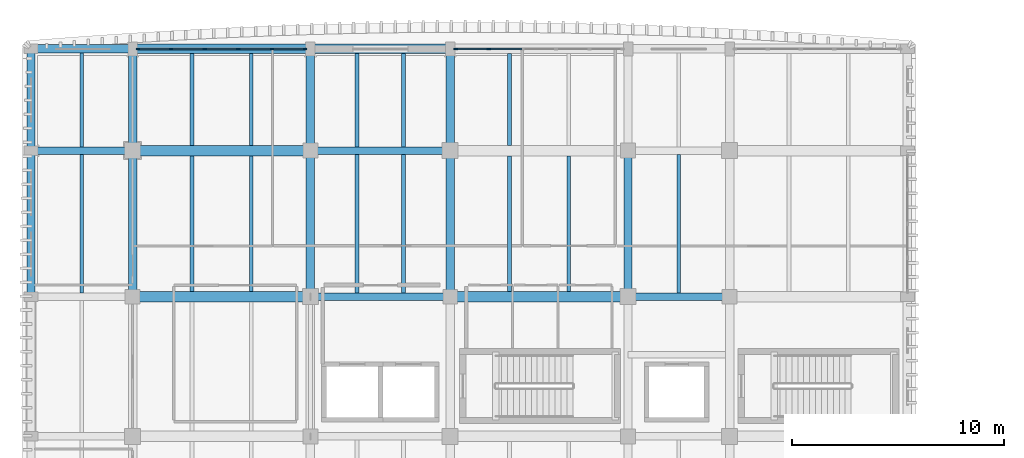
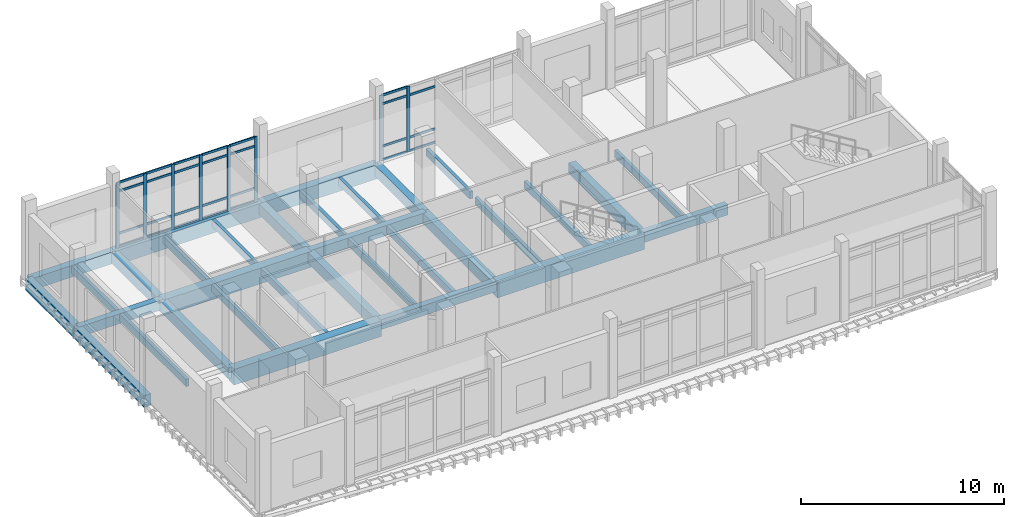
# One storey, part 4 of 39: 35 members, 33 beams, 2 elements without a shape of their own.
"""IFC4 building model written with IfcOpenShell, lengths in metres."""

from ifc_helpers import new_model, si_unit, direction, frame, origin, origin_2d, place, context, subcontext, project, spatial, rectangle, extrude, material, material_profile, profile_set, type_object, element, aggregate, save


model = new_model("IFC4")

# Units and contexts
model_context = context("Model", 3, precision=1e-05, world=origin(), true_north=direction((0.0, 1.0)))
body_context = subcontext(model_context, "Body", "Model", "MODEL_VIEW")
ifc_project = project(units=[si_unit("LENGTHUNIT", "METRE"), si_unit("AREAUNIT", "SQUARE_METRE"), si_unit("VOLUMEUNIT", "CUBIC_METRE"), si_unit("PLANEANGLEUNIT", "RADIAN"), si_unit("MASSUNIT", "GRAM", prefix="KILO")], contexts=[model_context])

# Site, building, storey
site_placement = place(None, origin())
site = spatial("IfcSite", under=ifc_project, at=site_placement, CompositionType="ELEMENT")
building_placement = place(site_placement, origin())
building = spatial("IfcBuilding", under=site, at=building_placement, Name="Dornvale Research Institute", CompositionType="ELEMENT")
storey_placement = place(building_placement, frame((0.0, 0.0, 24.60009765625)))
storey = spatial("IfcBuildingStorey", under=building, at=storey_placement, Name="L05", CompositionType="ELEMENT", Elevation=24.60009765625)

# Beams
ifc_material_1 = material(Name="Concrete f'c 45 MPa (C35/45)", Category="concrete")
ifc_material_profile_1 = material_profile(ifc_material_1, rectangle(XDim=0.35009765625, YDim=0.60009765625, at=origin_2d()), Name="RC 350x600")
ifc_profile_set_1 = profile_set([ifc_material_profile_1], Name="Concrete f'c 45 MPa (C35/45)")
beam_type_1 = type_object("IfcBeamType", Name="Beam_RC350x600_Floor", PredefinedType="BEAM", material=ifc_profile_set_1)
beam_1_placement = place(storey_placement, frame((13.199951171875, 110.39990234375, -0.300048828125), z_axis=(1.0, 0.0, 0.0), x_axis=(0.0, 1.0, 0.0)))
element("IfcBeam", 1, at=beam_1_placement, inside=storey, type_object=beam_type_1, Name="L05 primary girder #1337", PredefinedType="BEAM", context=body_context, shape_type="SweptSolid", body=[
    extrude(rectangle(XDim=0.35009765625, YDim=0.60009765625, at=origin_2d()), origin(), (0.0, 0.0, 1.0), 6.60009765625),
])
for number, where, z_axis, x_axis, name in (
    (2, (28.199951171875, 110.39990234375, -0.300048828125), (1.0, 0.0, 0.0), (0.0, 1.0, 0.0), "L05 primary girder #1339"),
    (3, (0.0, 117.300048828125, -0.300048828125), (1.0, 0.0, 0.0), (0.0, 1.0, 0.0), "L05 primary girder #1341"),
):
    element("IfcBeam", number, at=place(storey_placement, frame(where, z_axis=z_axis, x_axis=x_axis)), inside=storey, type_object=beam_type_1, Name=name, PredefinedType="BEAM", context=body_context, shape_type="SweptSolid", body=[
        extrude(rectangle(XDim=0.35009765625, YDim=0.60009765625, at=origin_2d()), origin(), (0.0, 0.0, 1.0), 4.800048828125),
    ])
beam_2_placement = place(storey_placement, frame((13.199951171875, 117.300048828125, -0.300048828125), z_axis=(1.0, 0.0, 0.0), x_axis=(0.0, 1.0, 0.0)))
element("IfcBeam", 4, at=beam_2_placement, inside=storey, type_object=beam_type_1, Name="L05 primary girder #1343", PredefinedType="BEAM", context=body_context, shape_type="SweptSolid", body=[
    extrude(rectangle(XDim=0.35009765625, YDim=0.60009765625, at=origin_2d()), origin(), (0.0, 0.0, 1.0), 6.60009765625),
])
ifc_material_2 = material(Name="Concrete f'c 45 MPa (C35/45)", Category="concrete")
ifc_material_profile_2 = material_profile(ifc_material_2, rectangle(XDim=0.39990234375, YDim=0.64990234375, at=origin_2d()), Name="RC 400x650")
ifc_profile_set_2 = profile_set([ifc_material_profile_2], Name="Concrete f'c 45 MPa (C35/45)")
beam_type_2 = type_object("IfcBeamType", Name="Beam_RC400x650_Floor", PredefinedType="BEAM", material=ifc_profile_set_2)
beam_3_placement = place(storey_placement, frame((4.800048828125, 110.39990234375, -0.3251953125), z_axis=(0.0, 1.0, 0.0), x_axis=(-1.0, 0.0, 0.0)))
element("IfcBeam", 5, at=beam_3_placement, inside=storey, type_object=beam_type_2, Name="L05 transverse girder #1359", PredefinedType="BEAM", context=body_context, shape_type="SweptSolid", body=[
    extrude(rectangle(XDim=0.39990234375, YDim=0.64990234375, at=origin_2d()), origin(), (0.0, 0.0, 1.0), 6.900146484375),
])
beam_4_placement = place(storey_placement, frame((4.800048828125, 117.300048828125, -0.3251953125), z_axis=(0.0, 1.0, 0.0), x_axis=(-1.0, 0.0, 0.0)))
element("IfcBeam", 6, at=beam_4_placement, inside=storey, type_object=beam_type_2, Name="L05 transverse girder #1360", PredefinedType="BEAM", context=body_context, shape_type="SweptSolid", body=[
    extrude(rectangle(XDim=0.39990234375, YDim=0.64990234375, at=origin_2d()), origin(), (0.0, 0.0, 1.0), 4.800048828125),
])
beam_5_placement = place(storey_placement, frame((13.199951171875, 110.39990234375, -0.3251953125), z_axis=(0.0, 1.0, 0.0), x_axis=(-1.0, 0.0, 0.0)))
element("IfcBeam", 7, at=beam_5_placement, inside=storey, type_object=beam_type_2, Name="L05 transverse girder #1363", PredefinedType="BEAM", context=body_context, shape_type="SweptSolid", body=[
    extrude(rectangle(XDim=0.39990234375, YDim=0.64990234375, at=origin_2d()), origin(), (0.0, 0.0, 1.0), 6.900146484375),
])
beam_6_placement = place(storey_placement, frame((13.199951171875, 117.300048828125, -0.3251953125), z_axis=(0.0, 1.0, 0.0), x_axis=(-1.0, 0.0, 0.0)))
element("IfcBeam", 8, at=beam_6_placement, inside=storey, type_object=beam_type_2, Name="L05 transverse girder #1364", PredefinedType="BEAM", context=body_context, shape_type="SweptSolid", body=[
    extrude(rectangle(XDim=0.39990234375, YDim=0.64990234375, at=origin_2d()), origin(), (0.0, 0.0, 1.0), 4.800048828125),
])
beam_7_placement = place(storey_placement, frame((19.800048828125, 110.39990234375, -0.3251953125), z_axis=(0.0, 1.0, 0.0), x_axis=(-1.0, 0.0, 0.0)))
element("IfcBeam", 9, at=beam_7_placement, inside=storey, type_object=beam_type_2, Name="L05 transverse girder #1367", PredefinedType="BEAM", context=body_context, shape_type="SweptSolid", body=[
    extrude(rectangle(XDim=0.39990234375, YDim=0.64990234375, at=origin_2d()), origin(), (0.0, 0.0, 1.0), 6.900146484375),
])
beam_8_placement = place(storey_placement, frame((19.800048828125, 117.300048828125, -0.3251953125), z_axis=(0.0, 1.0, 0.0), x_axis=(-1.0, 0.0, 0.0)))
element("IfcBeam", 10, at=beam_8_placement, inside=storey, type_object=beam_type_2, Name="L05 transverse girder #1368", PredefinedType="BEAM", context=body_context, shape_type="SweptSolid", body=[
    extrude(rectangle(XDim=0.39990234375, YDim=0.64990234375, at=origin_2d()), origin(), (0.0, 0.0, 1.0), 4.800048828125),
])
beam_9_placement = place(storey_placement, frame((28.199951171875, 110.39990234375, -0.3251953125), z_axis=(0.0, 1.0, 0.0), x_axis=(-1.0, 0.0, 0.0)))
element("IfcBeam", 11, at=beam_9_placement, inside=storey, type_object=beam_type_2, Name="L05 transverse girder #1371", PredefinedType="BEAM", context=body_context, shape_type="SweptSolid", body=[
    extrude(rectangle(XDim=0.39990234375, YDim=0.64990234375, at=origin_2d()), origin(), (0.0, 0.0, 1.0), 6.900146484375),
])
ifc_material_3 = material(Name="Concrete f'c 45 MPa (C35/45)", Category="concrete")
ifc_material_profile_3 = material_profile(ifc_material_3, rectangle(XDim=0.5, YDim=0.949951171875, at=origin_2d()), Name="RC 500x950")
ifc_profile_set_3 = profile_set([ifc_material_profile_3], Name="Concrete f'c 45 MPa (C35/45)")
beam_type_3 = type_object("IfcBeamType", Name="Beam_RC500x950_Girder", PredefinedType="BEAM", material=ifc_profile_set_3)
for number, where, z_axis, x_axis, name in (
    (12, (4.800048828125, 110.39990234375, -0.47509765625), (1.0, 0.0, 0.0), (0.0, 1.0, 0.0), "L05 primary girder #1336"),
    (13, (19.800048828125, 110.39990234375, -0.47509765625), (1.0, 0.0, 0.0), (0.0, 1.0, 0.0), "L05 primary girder #1338"),
    (14, (4.800048828125, 117.300048828125, -0.47509765625), (1.0, 0.0, 0.0), (0.0, 1.0, 0.0), "L05 primary girder #1342"),
):
    element("IfcBeam", number, at=place(storey_placement, frame(where, z_axis=z_axis, x_axis=x_axis)), inside=storey, type_object=beam_type_3, Name=name, PredefinedType="BEAM", context=body_context, shape_type="SweptSolid", body=[
        extrude(rectangle(XDim=0.5, YDim=0.949951171875, at=origin_2d()), origin(), (0.0, 0.0, 1.0), 8.39990234375),
    ])
ifc_material_4 = material(Name="Concrete f'c 45 MPa (C35/45)", Category="concrete")
ifc_material_profile_4 = material_profile(ifc_material_4, rectangle(XDim=0.179931640625, YDim=0.43505859375, at=origin_2d()), Name="RC 180x435")
ifc_profile_set_4 = profile_set([ifc_material_profile_4], Name="Concrete f'c 45 MPa (C35/45)")
beam_type_4 = type_object("IfcBeamType", Name="Joist_RC180x435_Rib", PredefinedType="JOIST", material=ifc_profile_set_4)
beam_10_placement = place(storey_placement, frame((2.39990234375, 110.574951171875, -0.217529296875), z_axis=(0.0, 1.0, 0.0), x_axis=(-1.0, 0.0, 0.0)))
element("IfcBeam", 15, at=beam_10_placement, inside=storey, type_object=beam_type_4, Name="L05 laboratory waffle joist #627", PredefinedType="JOIST", context=body_context, shape_type="SweptSolid", body=[
    extrude(rectangle(XDim=0.179931640625, YDim=0.43505859375, at=origin_2d()), origin(), (0.0, 0.0, 1.0), 6.550048828125),
])
beam_11_placement = place(storey_placement, frame((2.39990234375, 117.47509765625, -0.217529296875), z_axis=(0.0, 1.0, 0.0), x_axis=(-1.0, 0.0, 0.0)))
element("IfcBeam", 16, at=beam_11_placement, inside=storey, type_object=beam_type_4, Name="L05 laboratory waffle joist #628", PredefinedType="JOIST", context=body_context, shape_type="SweptSolid", body=[
    extrude(rectangle(XDim=0.179931640625, YDim=0.43505859375, at=origin_2d()), origin(), (0.0, 0.0, 1.0), 4.4248046875),
])
for number, where, z_axis, x_axis, name in (
    (17, (7.60009765625, 110.64990234375, -0.217529296875), (0.0, 1.0, 0.0), (-1.0, 0.0, 0.0), "L05 laboratory waffle joist #633"),
    (18, (10.39990234375, 110.64990234375, -0.217529296875), (0.0, 1.0, 0.0), (-1.0, 0.0, 0.0), "L05 laboratory waffle joist #634"),
):
    element("IfcBeam", number, at=place(storey_placement, frame(where, z_axis=z_axis, x_axis=x_axis)), inside=storey, type_object=beam_type_4, Name=name, PredefinedType="JOIST", context=body_context, shape_type="SweptSolid", body=[
        extrude(rectangle(XDim=0.179931640625, YDim=0.43505859375, at=origin_2d()), origin(), (0.0, 0.0, 1.0), 6.400146484375),
    ])
for number, where, z_axis, x_axis, name in (
    (19, (7.60009765625, 117.550048828125, -0.217529296875), (0.0, 1.0, 0.0), (-1.0, 0.0, 0.0), "L05 laboratory waffle joist #635"),
    (20, (10.39990234375, 117.550048828125, -0.217529296875), (0.0, 1.0, 0.0), (-1.0, 0.0, 0.0), "L05 laboratory waffle joist #636"),
):
    element("IfcBeam", number, at=place(storey_placement, frame(where, z_axis=z_axis, x_axis=x_axis)), inside=storey, type_object=beam_type_4, Name=name, PredefinedType="JOIST", context=body_context, shape_type="SweptSolid", body=[
        extrude(rectangle(XDim=0.179931640625, YDim=0.43505859375, at=origin_2d()), origin(), (0.0, 0.0, 1.0), 4.324951171875),
    ])
for number, where, z_axis, x_axis, name in (
    (21, (15.39990234375, 110.574951171875, -0.217529296875), (0.0, 1.0, 0.0), (-1.0, 0.0, 0.0), "L05 laboratory waffle joist #639"),
    (22, (17.60009765625, 110.574951171875, -0.217529296875), (0.0, 1.0, 0.0), (-1.0, 0.0, 0.0), "L05 laboratory waffle joist #640"),
):
    element("IfcBeam", number, at=place(storey_placement, frame(where, z_axis=z_axis, x_axis=x_axis)), inside=storey, type_object=beam_type_4, Name=name, PredefinedType="JOIST", context=body_context, shape_type="SweptSolid", body=[
        extrude(rectangle(XDim=0.179931640625, YDim=0.43505859375, at=origin_2d()), origin(), (0.0, 0.0, 1.0), 6.550048828125),
    ])
for number, where, z_axis, x_axis, name in (
    (23, (15.39990234375, 117.47509765625, -0.217529296875), (0.0, 1.0, 0.0), (-1.0, 0.0, 0.0), "L05 laboratory waffle joist #641"),
    (24, (17.60009765625, 117.47509765625, -0.217529296875), (0.0, 1.0, 0.0), (-1.0, 0.0, 0.0), "L05 laboratory waffle joist #642"),
):
    element("IfcBeam", number, at=place(storey_placement, frame(where, z_axis=z_axis, x_axis=x_axis)), inside=storey, type_object=beam_type_4, Name=name, PredefinedType="JOIST", context=body_context, shape_type="SweptSolid", body=[
        extrude(rectangle(XDim=0.179931640625, YDim=0.43505859375, at=origin_2d()), origin(), (0.0, 0.0, 1.0), 4.39990234375),
    ])
for number, where, z_axis, x_axis, name in (
    (25, (22.60009765625, 110.64990234375, -0.217529296875), (0.0, 1.0, 0.0), (-1.0, 0.0, 0.0), "L05 laboratory waffle joist #645"),
    (26, (25.39990234375, 110.64990234375, -0.217529296875), (0.0, 1.0, 0.0), (-1.0, 0.0, 0.0), "L05 laboratory waffle joist #646"),
):
    element("IfcBeam", number, at=place(storey_placement, frame(where, z_axis=z_axis, x_axis=x_axis)), inside=storey, type_object=beam_type_4, Name=name, PredefinedType="JOIST", context=body_context, shape_type="SweptSolid", body=[
        extrude(rectangle(XDim=0.179931640625, YDim=0.43505859375, at=origin_2d()), origin(), (0.0, 0.0, 1.0), 6.400146484375),
    ])
beam_12_placement = place(storey_placement, frame((22.60009765625, 117.550048828125, -0.217529296875), z_axis=(0.0, 1.0, 0.0), x_axis=(-1.0, 0.0, 0.0)))
element("IfcBeam", 27, at=beam_12_placement, inside=storey, type_object=beam_type_4, Name="L05 laboratory waffle joist #647", PredefinedType="JOIST", context=body_context, shape_type="SweptSolid", body=[
    extrude(rectangle(XDim=0.179931640625, YDim=0.43505859375, at=origin_2d()), origin(), (0.0, 0.0, 1.0), 4.324951171875),
])
beam_13_placement = place(storey_placement, frame((30.60009765625, 110.574951171875, -0.217529296875), z_axis=(0.0, 1.0, 0.0), x_axis=(-1.0, 0.0, 0.0)))
element("IfcBeam", 28, at=beam_13_placement, inside=storey, type_object=beam_type_4, Name="L05 laboratory waffle joist #650", PredefinedType="JOIST", context=body_context, shape_type="SweptSolid", body=[
    extrude(rectangle(XDim=0.179931640625, YDim=0.43505859375, at=origin_2d()), origin(), (0.0, 0.0, 1.0), 6.550048828125),
])

# Curtain wall, members
ifc_material_5 = material(Name="Low-E Argon Double Insulating Glazing Unit", Category="glass")
curtain_wall_type = type_object("IfcCurtainWallType", Name="UnitisedCurtainWall_V5_7950x3950", PredefinedType="USERDEFINED", material=ifc_material_5)
curtain_wall_1_placement = place(storey_placement, origin())
curtain_wall_1 = element("IfcCurtainWall", 29, at=curtain_wall_1_placement, inside=storey, type_object=curtain_wall_type, Name="L05 V5 unitised curtain wall CW-30 #165", ObjectType="UNITISED CURTAIN WALL", PredefinedType="USERDEFINED")
ifc_material_6 = material(Name="Anodized Aluminum AA 6063-T6 Thermally Broken Frame", Category="aluminium")
ifc_material_profile_5 = material_profile(ifc_material_6, rectangle(XDim=0.06494140625, YDim=0.179931640625, at=origin_2d()), Name="ALU MULLION 65x180")
ifc_profile_set_5 = profile_set([ifc_material_profile_5], Name="Anodized Aluminum AA 6063-T6 Thermally Broken Frame")
member_type_1 = type_object("IfcMemberType", Name="Mullion_CW_65x180", PredefinedType="MULLION", material=ifc_profile_set_5)
member_1_placement = place(storey_placement, frame((5.0576171875, 122.10009765625, 0.0), z_axis=(0.0, 0.0, 1.0), x_axis=(0.0, 1.0, 0.0)))
member_1 = element("IfcMember", 30, at=member_1_placement, type_object=member_type_1, Name="CW-30 mullion 1", PredefinedType="MULLION", context=body_context, shape_type="SweptSolid", body=[
    extrude(rectangle(XDim=0.06494140625, YDim=0.179931640625, at=origin_2d()), origin(), (0.0, 0.0, 1.0), 3.949951171875),
])
member_2_placement = place(storey_placement, frame((6.614990234375, 122.10009765625, 0.0), z_axis=(0.0, 0.0, 1.0), x_axis=(0.0, 1.0, 0.0)))
member_2 = element("IfcMember", 31, at=member_2_placement, type_object=member_type_1, Name="CW-30 mullion 2", PredefinedType="MULLION", context=body_context, shape_type="SweptSolid", body=[
    extrude(rectangle(XDim=0.06494140625, YDim=0.179931640625, at=origin_2d()), origin(), (0.0, 0.0, 1.0), 3.949951171875),
])
member_3_placement = place(storey_placement, frame((8.205078125, 122.10009765625, 0.0), z_axis=(0.0, 0.0, 1.0), x_axis=(0.0, 1.0, 0.0)))
member_3 = element("IfcMember", 32, at=member_3_placement, type_object=member_type_1, Name="CW-30 mullion 3", PredefinedType="MULLION", context=body_context, shape_type="SweptSolid", body=[
    extrude(rectangle(XDim=0.06494140625, YDim=0.179931640625, at=origin_2d()), origin(), (0.0, 0.0, 1.0), 3.949951171875),
])
member_4_placement = place(storey_placement, frame((9.794921875, 122.10009765625, 0.0), z_axis=(0.0, 0.0, 1.0), x_axis=(0.0, 1.0, 0.0)))
member_4 = element("IfcMember", 33, at=member_4_placement, type_object=member_type_1, Name="CW-30 mullion 4", PredefinedType="MULLION", context=body_context, shape_type="SweptSolid", body=[
    extrude(rectangle(XDim=0.06494140625, YDim=0.179931640625, at=origin_2d()), origin(), (0.0, 0.0, 1.0), 3.949951171875),
])
member_5_placement = place(storey_placement, frame((11.385009765625, 122.10009765625, 0.0), z_axis=(0.0, 0.0, 1.0), x_axis=(0.0, 1.0, 0.0)))
member_5 = element("IfcMember", 34, at=member_5_placement, type_object=member_type_1, Name="CW-30 mullion 5", PredefinedType="MULLION", context=body_context, shape_type="SweptSolid", body=[
    extrude(rectangle(XDim=0.06494140625, YDim=0.179931640625, at=origin_2d()), origin(), (0.0, 0.0, 1.0), 3.949951171875),
])
member_6_placement = place(storey_placement, frame((12.9423828125, 122.10009765625, 0.0), z_axis=(0.0, 0.0, 1.0), x_axis=(0.0, 1.0, 0.0)))
member_6 = element("IfcMember", 35, at=member_6_placement, type_object=member_type_1, Name="CW-30 mullion 6", PredefinedType="MULLION", context=body_context, shape_type="SweptSolid", body=[
    extrude(rectangle(XDim=0.06494140625, YDim=0.179931640625, at=origin_2d()), origin(), (0.0, 0.0, 1.0), 3.949951171875),
])

curtain_wall_2_placement = place(storey_placement, origin())
curtain_wall_2 = element("IfcCurtainWall", 36, at=curtain_wall_2_placement, inside=storey, type_object=curtain_wall_type, Name="L05 V5 unitised curtain wall CW-30 #166", ObjectType="UNITISED CURTAIN WALL", PredefinedType="USERDEFINED")
member_7_placement = place(storey_placement, frame((20.0576171875, 122.10009765625, 0.0), z_axis=(0.0, 0.0, 1.0), x_axis=(0.0, 1.0, 0.0)))
member_7 = element("IfcMember", 37, at=member_7_placement, type_object=member_type_1, Name="CW-30 mullion 1", PredefinedType="MULLION", context=body_context, shape_type="SweptSolid", body=[
    extrude(rectangle(XDim=0.06494140625, YDim=0.179931640625, at=origin_2d()), origin(), (0.0, 0.0, 1.0), 3.949951171875),
])
member_8_placement = place(storey_placement, frame((21.614990234375, 122.10009765625, 0.0), z_axis=(0.0, 0.0, 1.0), x_axis=(0.0, 1.0, 0.0)))
member_8 = element("IfcMember", 38, at=member_8_placement, type_object=member_type_1, Name="CW-30 mullion 2", PredefinedType="MULLION", context=body_context, shape_type="SweptSolid", body=[
    extrude(rectangle(XDim=0.06494140625, YDim=0.179931640625, at=origin_2d()), origin(), (0.0, 0.0, 1.0), 3.949951171875),
])

# Beams
ifc_material_7 = material(Name="Concrete f'c 45 MPa (C35/45)", Category="concrete")
ifc_material_profile_6 = material_profile(ifc_material_7, rectangle(XDim=0.39990234375, YDim=0.699951171875, at=origin_2d()), Name="RC 400x700")
ifc_profile_set_6 = profile_set([ifc_material_profile_6], Name="Concrete f'c 45 MPa (C35/45)")
beam_type_5 = type_object("IfcBeamType", Name="Spandrel_RC400x700_Ext", PredefinedType="SPANDREL", material=ifc_profile_set_6)
beam_14_placement = place(storey_placement, frame((0.0, 122.10009765625, -0.35009765625), z_axis=(1.0, 0.0, 0.0), x_axis=(0.0, 1.0, 0.0)))
element("IfcBeam", 39, at=beam_14_placement, inside=storey, type_object=beam_type_5, Name="L05 perimeter spandrel #1347", PredefinedType="SPANDREL", context=body_context, shape_type="SweptSolid", body=[
    extrude(rectangle(XDim=0.39990234375, YDim=0.699951171875, at=origin_2d()), origin(), (0.0, 0.0, 1.0), 4.800048828125),
])
beam_15_placement = place(storey_placement, frame((0.0, 110.39990234375, -0.35009765625), z_axis=(0.0, 1.0, 0.0), x_axis=(-1.0, 0.0, 0.0)))
element("IfcBeam", 40, at=beam_15_placement, inside=storey, type_object=beam_type_5, Name="L05 perimeter spandrel #1355", PredefinedType="SPANDREL", context=body_context, shape_type="SweptSolid", body=[
    extrude(rectangle(XDim=0.39990234375, YDim=0.699951171875, at=origin_2d()), origin(), (0.0, 0.0, 1.0), 6.900146484375),
])
beam_16_placement = place(storey_placement, frame((0.0, 117.300048828125, -0.35009765625), z_axis=(0.0, 1.0, 0.0), x_axis=(-1.0, 0.0, 0.0)))
element("IfcBeam", 41, at=beam_16_placement, inside=storey, type_object=beam_type_5, Name="L05 perimeter spandrel #1356", PredefinedType="SPANDREL", context=body_context, shape_type="SweptSolid", body=[
    extrude(rectangle(XDim=0.39990234375, YDim=0.699951171875, at=origin_2d()), origin(), (0.0, 0.0, 1.0), 4.800048828125),
])
ifc_material_8 = material(Name="Concrete f'c 45 MPa (C35/45)", Category="concrete")
ifc_material_profile_7 = material_profile(ifc_material_8, rectangle(XDim=0.449951171875, YDim=0.85009765625, at=origin_2d()), Name="RC 450x850")
ifc_profile_set_7 = profile_set([ifc_material_profile_7], Name="Concrete f'c 45 MPa (C35/45)")
beam_type_6 = type_object("IfcBeamType", Name="Spandrel_RC450x850_Ext", PredefinedType="SPANDREL", material=ifc_profile_set_7)
beam_17_placement = place(storey_placement, frame((4.800048828125, 122.10009765625, -0.425048828125), z_axis=(1.0, 0.0, 0.0), x_axis=(0.0, 1.0, 0.0)))
element("IfcBeam", 42, at=beam_17_placement, inside=storey, type_object=beam_type_6, Name="L05 perimeter spandrel #1348", PredefinedType="SPANDREL", context=body_context, shape_type="SweptSolid", body=[
    extrude(rectangle(XDim=0.449951171875, YDim=0.85009765625, at=origin_2d()), origin(), (0.0, 0.0, 1.0), 8.39990234375),
])
beam_18_placement = place(storey_placement, frame((13.199951171875, 122.10009765625, -0.425048828125), z_axis=(1.0, 0.0, 0.0), x_axis=(0.0, 1.0, 0.0)))
element("IfcBeam", 43, at=beam_18_placement, inside=storey, type_object=beam_type_6, Name="L05 perimeter spandrel #1349", PredefinedType="SPANDREL", context=body_context, shape_type="SweptSolid", body=[
    extrude(rectangle(XDim=0.449951171875, YDim=0.85009765625, at=origin_2d()), origin(), (0.0, 0.0, 1.0), 6.60009765625),
])

# Member
ifc_material_9 = material(Name="Anodized Aluminum AA 6063-T6 Thermally Broken Frame", Category="aluminium")
ifc_material_profile_8 = material_profile(ifc_material_9, rectangle(XDim=0.06494140625, YDim=0.135009765625, at=origin_2d()), Name="ALU TRANSOM 65x135")
ifc_profile_set_8 = profile_set([ifc_material_profile_8], Name="Anodized Aluminum AA 6063-T6 Thermally Broken Frame")
member_type_2 = type_object("IfcMemberType", Name="Transom_CW_65x135", PredefinedType="USERDEFINED", material=ifc_profile_set_8)
member_9_placement = place(storey_placement, frame((5.090087890625, 122.10009765625, 0.032470703125), z_axis=(1.0, 0.0, 0.0), x_axis=(0.0, 1.0, 0.0)))
member_9 = element("IfcMember", 44, at=member_9_placement, type_object=member_type_2, Name="CW-30 transom 1.1", ObjectType="TRANSOM", PredefinedType="USERDEFINED", context=body_context, shape_type="SweptSolid", body=[
    extrude(rectangle(XDim=0.06494140625, YDim=0.135009765625, at=origin_2d()), origin(), (0.0, 0.0, 1.0), 1.492431640625),
])

member_10_placement = place(storey_placement, frame((5.090087890625, 122.10009765625, 0.849853515625), z_axis=(1.0, 0.0, 0.0), x_axis=(0.0, 1.0, 0.0)))
member_10 = element("IfcMember", 45, at=member_10_placement, type_object=member_type_2, Name="CW-30 transom 1.2", ObjectType="TRANSOM", PredefinedType="USERDEFINED", context=body_context, shape_type="SweptSolid", body=[
    extrude(rectangle(XDim=0.06494140625, YDim=0.135009765625, at=origin_2d()), origin(), (0.0, 0.0, 1.0), 1.492431640625),
])

member_11_placement = place(storey_placement, frame((5.090087890625, 122.10009765625, 3.39990234375), z_axis=(1.0, 0.0, 0.0), x_axis=(0.0, 1.0, 0.0)))
member_11 = element("IfcMember", 46, at=member_11_placement, type_object=member_type_2, Name="CW-30 transom 1.3", ObjectType="TRANSOM", PredefinedType="USERDEFINED", context=body_context, shape_type="SweptSolid", body=[
    extrude(rectangle(XDim=0.06494140625, YDim=0.135009765625, at=origin_2d()), origin(), (0.0, 0.0, 1.0), 1.492431640625),
])

member_12_placement = place(storey_placement, frame((5.090087890625, 122.10009765625, 3.91748046875), z_axis=(1.0, 0.0, 0.0), x_axis=(0.0, 1.0, 0.0)))
member_12 = element("IfcMember", 47, at=member_12_placement, type_object=member_type_2, Name="CW-30 transom 1.4", ObjectType="TRANSOM", PredefinedType="USERDEFINED", context=body_context, shape_type="SweptSolid", body=[
    extrude(rectangle(XDim=0.06494140625, YDim=0.135009765625, at=origin_2d()), origin(), (0.0, 0.0, 1.0), 1.492431640625),
])

member_13_placement = place(storey_placement, frame((6.6474609375, 122.10009765625, 0.032470703125), z_axis=(1.0, 0.0, 0.0), x_axis=(0.0, 1.0, 0.0)))
member_13 = element("IfcMember", 48, at=member_13_placement, type_object=member_type_2, Name="CW-30 transom 2.1", ObjectType="TRANSOM", PredefinedType="USERDEFINED", context=body_context, shape_type="SweptSolid", body=[
    extrude(rectangle(XDim=0.06494140625, YDim=0.135009765625, at=origin_2d()), origin(), (0.0, 0.0, 1.0), 1.525146484375),
])

member_14_placement = place(storey_placement, frame((6.6474609375, 122.10009765625, 0.849853515625), z_axis=(1.0, 0.0, 0.0), x_axis=(0.0, 1.0, 0.0)))
member_14 = element("IfcMember", 49, at=member_14_placement, type_object=member_type_2, Name="CW-30 transom 2.2", ObjectType="TRANSOM", PredefinedType="USERDEFINED", context=body_context, shape_type="SweptSolid", body=[
    extrude(rectangle(XDim=0.06494140625, YDim=0.135009765625, at=origin_2d()), origin(), (0.0, 0.0, 1.0), 1.525146484375),
])

member_15_placement = place(storey_placement, frame((6.6474609375, 122.10009765625, 3.39990234375), z_axis=(1.0, 0.0, 0.0), x_axis=(0.0, 1.0, 0.0)))
member_15 = element("IfcMember", 50, at=member_15_placement, type_object=member_type_2, Name="CW-30 transom 2.3", ObjectType="TRANSOM", PredefinedType="USERDEFINED", context=body_context, shape_type="SweptSolid", body=[
    extrude(rectangle(XDim=0.06494140625, YDim=0.135009765625, at=origin_2d()), origin(), (0.0, 0.0, 1.0), 1.525146484375),
])

member_16_placement = place(storey_placement, frame((6.6474609375, 122.10009765625, 3.91748046875), z_axis=(1.0, 0.0, 0.0), x_axis=(0.0, 1.0, 0.0)))
member_16 = element("IfcMember", 51, at=member_16_placement, type_object=member_type_2, Name="CW-30 transom 2.4", ObjectType="TRANSOM", PredefinedType="USERDEFINED", context=body_context, shape_type="SweptSolid", body=[
    extrude(rectangle(XDim=0.06494140625, YDim=0.135009765625, at=origin_2d()), origin(), (0.0, 0.0, 1.0), 1.525146484375),
])

member_17_placement = place(storey_placement, frame((8.237548828125, 122.10009765625, 0.032470703125), z_axis=(1.0, 0.0, 0.0), x_axis=(0.0, 1.0, 0.0)))
member_17 = element("IfcMember", 52, at=member_17_placement, type_object=member_type_2, Name="CW-30 transom 3.1", ObjectType="TRANSOM", PredefinedType="USERDEFINED", context=body_context, shape_type="SweptSolid", body=[
    extrude(rectangle(XDim=0.06494140625, YDim=0.135009765625, at=origin_2d()), origin(), (0.0, 0.0, 1.0), 1.52490234375),
])

member_18_placement = place(storey_placement, frame((8.237548828125, 122.10009765625, 0.849853515625), z_axis=(1.0, 0.0, 0.0), x_axis=(0.0, 1.0, 0.0)))
member_18 = element("IfcMember", 53, at=member_18_placement, type_object=member_type_2, Name="CW-30 transom 3.2", ObjectType="TRANSOM", PredefinedType="USERDEFINED", context=body_context, shape_type="SweptSolid", body=[
    extrude(rectangle(XDim=0.06494140625, YDim=0.135009765625, at=origin_2d()), origin(), (0.0, 0.0, 1.0), 1.52490234375),
])

member_19_placement = place(storey_placement, frame((8.237548828125, 122.10009765625, 3.39990234375), z_axis=(1.0, 0.0, 0.0), x_axis=(0.0, 1.0, 0.0)))
member_19 = element("IfcMember", 54, at=member_19_placement, type_object=member_type_2, Name="CW-30 transom 3.3", ObjectType="TRANSOM", PredefinedType="USERDEFINED", context=body_context, shape_type="SweptSolid", body=[
    extrude(rectangle(XDim=0.06494140625, YDim=0.135009765625, at=origin_2d()), origin(), (0.0, 0.0, 1.0), 1.52490234375),
])

member_20_placement = place(storey_placement, frame((8.237548828125, 122.10009765625, 3.91748046875), z_axis=(1.0, 0.0, 0.0), x_axis=(0.0, 1.0, 0.0)))
member_20 = element("IfcMember", 55, at=member_20_placement, type_object=member_type_2, Name="CW-30 transom 3.4", ObjectType="TRANSOM", PredefinedType="USERDEFINED", context=body_context, shape_type="SweptSolid", body=[
    extrude(rectangle(XDim=0.06494140625, YDim=0.135009765625, at=origin_2d()), origin(), (0.0, 0.0, 1.0), 1.52490234375),
])

member_21_placement = place(storey_placement, frame((9.827392578125, 122.10009765625, 0.032470703125), z_axis=(1.0, 0.0, 0.0), x_axis=(0.0, 1.0, 0.0)))
member_21 = element("IfcMember", 56, at=member_21_placement, type_object=member_type_2, Name="CW-30 transom 4.1", ObjectType="TRANSOM", PredefinedType="USERDEFINED", context=body_context, shape_type="SweptSolid", body=[
    extrude(rectangle(XDim=0.06494140625, YDim=0.135009765625, at=origin_2d()), origin(), (0.0, 0.0, 1.0), 1.525146484375),
])

member_22_placement = place(storey_placement, frame((9.827392578125, 122.10009765625, 0.849853515625), z_axis=(1.0, 0.0, 0.0), x_axis=(0.0, 1.0, 0.0)))
member_22 = element("IfcMember", 57, at=member_22_placement, type_object=member_type_2, Name="CW-30 transom 4.2", ObjectType="TRANSOM", PredefinedType="USERDEFINED", context=body_context, shape_type="SweptSolid", body=[
    extrude(rectangle(XDim=0.06494140625, YDim=0.135009765625, at=origin_2d()), origin(), (0.0, 0.0, 1.0), 1.525146484375),
])

member_23_placement = place(storey_placement, frame((9.827392578125, 122.10009765625, 3.39990234375), z_axis=(1.0, 0.0, 0.0), x_axis=(0.0, 1.0, 0.0)))
member_23 = element("IfcMember", 58, at=member_23_placement, type_object=member_type_2, Name="CW-30 transom 4.3", ObjectType="TRANSOM", PredefinedType="USERDEFINED", context=body_context, shape_type="SweptSolid", body=[
    extrude(rectangle(XDim=0.06494140625, YDim=0.135009765625, at=origin_2d()), origin(), (0.0, 0.0, 1.0), 1.525146484375),
])

member_24_placement = place(storey_placement, frame((9.827392578125, 122.10009765625, 3.91748046875), z_axis=(1.0, 0.0, 0.0), x_axis=(0.0, 1.0, 0.0)))
member_24 = element("IfcMember", 59, at=member_24_placement, type_object=member_type_2, Name="CW-30 transom 4.4", ObjectType="TRANSOM", PredefinedType="USERDEFINED", context=body_context, shape_type="SweptSolid", body=[
    extrude(rectangle(XDim=0.06494140625, YDim=0.135009765625, at=origin_2d()), origin(), (0.0, 0.0, 1.0), 1.525146484375),
])

member_25_placement = place(storey_placement, frame((11.41748046875, 122.10009765625, 0.032470703125), z_axis=(1.0, 0.0, 0.0), x_axis=(0.0, 1.0, 0.0)))
member_25 = element("IfcMember", 60, at=member_25_placement, type_object=member_type_2, Name="CW-30 transom 5.1", ObjectType="TRANSOM", PredefinedType="USERDEFINED", context=body_context, shape_type="SweptSolid", body=[
    extrude(rectangle(XDim=0.06494140625, YDim=0.135009765625, at=origin_2d()), origin(), (0.0, 0.0, 1.0), 1.492431640625),
])

member_26_placement = place(storey_placement, frame((11.41748046875, 122.10009765625, 0.849853515625), z_axis=(1.0, 0.0, 0.0), x_axis=(0.0, 1.0, 0.0)))
member_26 = element("IfcMember", 61, at=member_26_placement, type_object=member_type_2, Name="CW-30 transom 5.2", ObjectType="TRANSOM", PredefinedType="USERDEFINED", context=body_context, shape_type="SweptSolid", body=[
    extrude(rectangle(XDim=0.06494140625, YDim=0.135009765625, at=origin_2d()), origin(), (0.0, 0.0, 1.0), 1.492431640625),
])

member_27_placement = place(storey_placement, frame((11.41748046875, 122.10009765625, 3.39990234375), z_axis=(1.0, 0.0, 0.0), x_axis=(0.0, 1.0, 0.0)))
member_27 = element("IfcMember", 62, at=member_27_placement, type_object=member_type_2, Name="CW-30 transom 5.3", ObjectType="TRANSOM", PredefinedType="USERDEFINED", context=body_context, shape_type="SweptSolid", body=[
    extrude(rectangle(XDim=0.06494140625, YDim=0.135009765625, at=origin_2d()), origin(), (0.0, 0.0, 1.0), 1.492431640625),
])

member_28_placement = place(storey_placement, frame((11.41748046875, 122.10009765625, 3.91748046875), z_axis=(1.0, 0.0, 0.0), x_axis=(0.0, 1.0, 0.0)))
member_28 = element("IfcMember", 63, at=member_28_placement, type_object=member_type_2, Name="CW-30 transom 5.4", ObjectType="TRANSOM", PredefinedType="USERDEFINED", context=body_context, shape_type="SweptSolid", body=[
    extrude(rectangle(XDim=0.06494140625, YDim=0.135009765625, at=origin_2d()), origin(), (0.0, 0.0, 1.0), 1.492431640625),
])

aggregate(curtain_wall_1, [member_1, member_2, member_3, member_4, member_5, member_6, member_9, member_10, member_11, member_12, member_13, member_14, member_15, member_16, member_17, member_18, member_19, member_20, member_21, member_22, member_23, member_24, member_25, member_26, member_27, member_28])

member_29_placement = place(storey_placement, frame((20.090087890625, 122.10009765625, 0.032470703125), z_axis=(1.0, 0.0, 0.0), x_axis=(0.0, 1.0, 0.0)))
member_29 = element("IfcMember", 64, at=member_29_placement, type_object=member_type_2, Name="CW-30 transom 1.1", ObjectType="TRANSOM", PredefinedType="USERDEFINED", context=body_context, shape_type="SweptSolid", body=[
    extrude(rectangle(XDim=0.06494140625, YDim=0.135009765625, at=origin_2d()), origin(), (0.0, 0.0, 1.0), 1.492431640625),
])

member_30_placement = place(storey_placement, frame((20.090087890625, 122.10009765625, 0.849853515625), z_axis=(1.0, 0.0, 0.0), x_axis=(0.0, 1.0, 0.0)))
member_30 = element("IfcMember", 65, at=member_30_placement, type_object=member_type_2, Name="CW-30 transom 1.2", ObjectType="TRANSOM", PredefinedType="USERDEFINED", context=body_context, shape_type="SweptSolid", body=[
    extrude(rectangle(XDim=0.06494140625, YDim=0.135009765625, at=origin_2d()), origin(), (0.0, 0.0, 1.0), 1.492431640625),
])

member_31_placement = place(storey_placement, frame((20.090087890625, 122.10009765625, 3.39990234375), z_axis=(1.0, 0.0, 0.0), x_axis=(0.0, 1.0, 0.0)))
member_31 = element("IfcMember", 66, at=member_31_placement, type_object=member_type_2, Name="CW-30 transom 1.3", ObjectType="TRANSOM", PredefinedType="USERDEFINED", context=body_context, shape_type="SweptSolid", body=[
    extrude(rectangle(XDim=0.06494140625, YDim=0.135009765625, at=origin_2d()), origin(), (0.0, 0.0, 1.0), 1.492431640625),
])

member_32_placement = place(storey_placement, frame((20.090087890625, 122.10009765625, 3.91748046875), z_axis=(1.0, 0.0, 0.0), x_axis=(0.0, 1.0, 0.0)))
member_32 = element("IfcMember", 67, at=member_32_placement, type_object=member_type_2, Name="CW-30 transom 1.4", ObjectType="TRANSOM", PredefinedType="USERDEFINED", context=body_context, shape_type="SweptSolid", body=[
    extrude(rectangle(XDim=0.06494140625, YDim=0.135009765625, at=origin_2d()), origin(), (0.0, 0.0, 1.0), 1.492431640625),
])

member_33_placement = place(storey_placement, frame((21.6474609375, 122.10009765625, 0.032470703125), z_axis=(1.0, 0.0, 0.0), x_axis=(0.0, 1.0, 0.0)))
member_33 = element("IfcMember", 68, at=member_33_placement, type_object=member_type_2, Name="CW-30 transom 2.1", ObjectType="TRANSOM", PredefinedType="USERDEFINED", context=body_context, shape_type="SweptSolid", body=[
    extrude(rectangle(XDim=0.06494140625, YDim=0.135009765625, at=origin_2d()), origin(), (0.0, 0.0, 1.0), 1.525146484375),
])

member_34_placement = place(storey_placement, frame((21.6474609375, 122.10009765625, 0.849853515625), z_axis=(1.0, 0.0, 0.0), x_axis=(0.0, 1.0, 0.0)))
member_34 = element("IfcMember", 69, at=member_34_placement, type_object=member_type_2, Name="CW-30 transom 2.2", ObjectType="TRANSOM", PredefinedType="USERDEFINED", context=body_context, shape_type="SweptSolid", body=[
    extrude(rectangle(XDim=0.06494140625, YDim=0.135009765625, at=origin_2d()), origin(), (0.0, 0.0, 1.0), 1.525146484375),
])

member_35_placement = place(storey_placement, frame((21.6474609375, 122.10009765625, 3.39990234375), z_axis=(1.0, 0.0, 0.0), x_axis=(0.0, 1.0, 0.0)))
member_35 = element("IfcMember", 70, at=member_35_placement, type_object=member_type_2, Name="CW-30 transom 2.3", ObjectType="TRANSOM", PredefinedType="USERDEFINED", context=body_context, shape_type="SweptSolid", body=[
    extrude(rectangle(XDim=0.06494140625, YDim=0.135009765625, at=origin_2d()), origin(), (0.0, 0.0, 1.0), 1.525146484375),
])

aggregate(curtain_wall_2, [member_7, member_8, member_29, member_30, member_31, member_32, member_33, member_34, member_35])

save(model, "model.ifc")
